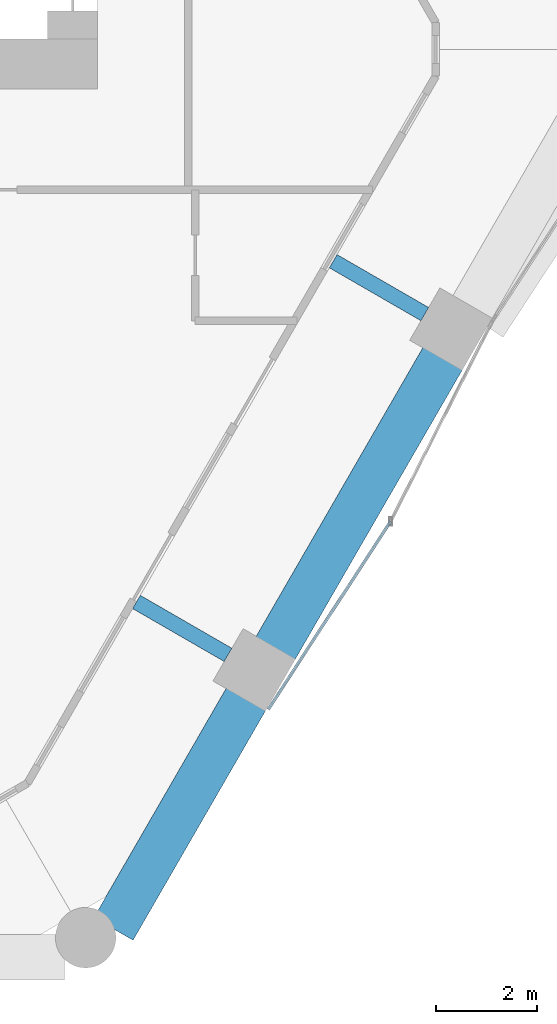
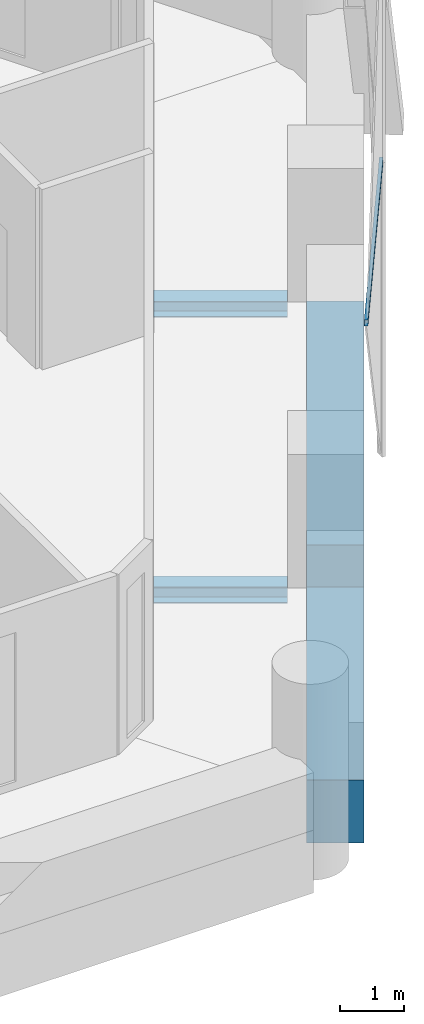
# One storey, part 5 of 17: 4 beams, 1 member, 1 element without a shape of its own.
"""IFC4 building model written with IfcOpenShell, lengths in metres."""

from ifc_helpers import new_model, si_unit, direction, frame, origin, origin_2d, place, context, subcontext, project, spatial, rectangle, hollow_rectangle, i_section, extrude, material, material_profile, profile_set, type_object, element, aggregate, save


model = new_model("IFC4")

# Units and contexts
model_context = context("Model", 3, precision=1e-05, world=origin(), true_north=direction((0.0, 1.0)))
body_context = subcontext(model_context, "Body", "Model", "MODEL_VIEW")
ifc_project = project(units=[si_unit("LENGTHUNIT", "METRE"), si_unit("AREAUNIT", "SQUARE_METRE"), si_unit("VOLUMEUNIT", "CUBIC_METRE"), si_unit("PLANEANGLEUNIT", "RADIAN"), si_unit("MASSUNIT", "GRAM", prefix="KILO")], contexts=[model_context])

# Site, building, storey
site_placement = place(None, origin())
site = spatial("IfcSite", under=ifc_project, at=site_placement, CompositionType="ELEMENT")
building_placement = place(site_placement, origin())
building = spatial("IfcBuilding", under=site, at=building_placement, Name="Ostrander Bayou Hotel Tower", CompositionType="ELEMENT")
storey_placement = place(building_placement, frame((0.0, 0.0, 127.25)))
storey = spatial("IfcBuildingStorey", under=building, at=storey_placement, Name="L31", CompositionType="ELEMENT", Elevation=127.25)

# Curtain wall, member
ifc_material_1 = material(Name="Aluminium and clear glass", Category="aluminium")
curtain_wall_type = type_object("IfcCurtainWallType", Name="CW-LAT lattice glazing", PredefinedType="NOTDEFINED", material=ifc_material_1)
curtain_wall_placement = place(storey_placement, origin())
curtain_wall = element("IfcCurtainWall", 1, at=curtain_wall_placement, inside=storey, type_object=curtain_wall_type, Name="CW-LAT L31 SE 2", PredefinedType="NOTDEFINED")
ifc_material_2 = material(Name="Aluminium", Category="aluminium")
ifc_material_profile_1 = material_profile(ifc_material_2, hollow_rectangle(XDim=0.06005859375, YDim=0.1201171875, WallThickness=0.00390625, at=origin_2d()))
ifc_profile_set_1 = profile_set([ifc_material_profile_1], Name="Aluminium")
member_type = type_object("IfcMemberType", Name="CW-LA transom 60 x 120 mm", PredefinedType="USERDEFINED", material=ifc_profile_set_1)
member_placement = place(storey_placement, frame((17.814208984375, -10.284912109375, 5.02490234375), z_axis=(-0.545325633077, -0.838224286161, 0.0), x_axis=(0.838224286161, -0.545325633077, 0.0)))
member = element("IfcMember", 2, at=member_placement, type_object=member_type, Name="CW-LAT transom 3", ObjectType="TRANSOM", PredefinedType="USERDEFINED", context=body_context, shape_type="SweptSolid", body=[
    extrude(hollow_rectangle(XDim=0.06005859375, YDim=0.1201171875, WallThickness=0.00390625, at=origin_2d()), origin(), (0.0, 0.0, 1.0), 4.451904296875),
])
aggregate(curtain_wall, [member])

# Beams
ifc_material_3 = material(Name="Steel ASTM A992", Category="steel")
ifc_material_profile_2 = material_profile(ifc_material_3, i_section(OverallWidth=0.3046875, OverallDepth=0.307861328125, WebThickness=0.010009765625, FlangeThickness=0.015380859375, at=origin_2d()))
ifc_profile_set_2 = profile_set([ifc_material_profile_2], Name="Steel ASTM A992")
beam_type_1 = type_object("IfcBeamType", Name="LB1 loggia bracket W12x65", PredefinedType="BEAM", material=ifc_profile_set_2)
for number, where, z_axis, x_axis, name in (
    (3, (14.587646484375, -12.933349609375, -0.453857421875), (-0.866009402589, 0.500027713859, 0.0), (-0.500027713859, -0.866009402589, 0.0), "LB1 L31 SE1"),
    (4, (18.494384765625, -6.166748046875, -0.453857421875), (-0.866009402589, 0.500027713859, 0.0), (-0.500027713859, -0.866009402589, 0.0), "LB1 L31 SE2"),
):
    element("IfcBeam", number, at=place(storey_placement, frame(where, z_axis=z_axis, x_axis=x_axis)), inside=storey, type_object=beam_type_1, Name=name, PredefinedType="BEAM", context=body_context, shape_type="SweptSolid", body=[
        extrude(i_section(OverallWidth=0.3046875, OverallDepth=0.307861328125, WebThickness=0.010009765625, FlangeThickness=0.015380859375, at=origin_2d()), origin(), (0.0, 0.0, 1.0), 2.10009765625),
    ])
ifc_material_4 = material(Name="Concrete f'c 70 MPa", Category="concrete")
ifc_material_profile_3 = material_profile(ifc_material_4, rectangle(XDim=0.89990234375, YDim=1.199951171875, at=origin_2d()))
ifc_profile_set_3 = profile_set([ifc_material_profile_3], Name="Concrete f'c 70 MPa")
beam_type_2 = type_object("IfcBeamType", Name="SP2 spandrel beam 900 x 1200 mm f'c 70 MPa", PredefinedType="SPANDREL", material=ifc_profile_set_3)
beam_1_placement = place(storey_placement, frame((12.311767578125, -18.37548828125, -0.60009765625), z_axis=(0.499982573574, 0.866035464703, 0.0), x_axis=(-0.866035464703, 0.499982573574, 0.0)))
element("IfcBeam", 5, at=beam_1_placement, inside=storey, type_object=beam_type_2, Name="SP2 L31 SE-1", PredefinedType="SPANDREL", context=body_context, shape_type="SweptSolid", body=[
    extrude(rectangle(XDim=0.89990234375, YDim=1.199951171875, at=origin_2d()), origin(), (0.0, 0.0, 1.0), 5.281005859375),
])
beam_2_placement = place(storey_placement, frame((15.522216796875, -12.814697265625, -0.60009765625), z_axis=(0.499999023957, 0.866025967302, 0.0), x_axis=(-0.866025967302, 0.499999023957, 0.0)))
element("IfcBeam", 6, at=beam_2_placement, inside=storey, type_object=beam_type_2, Name="SP2 L31 SE-2", PredefinedType="SPANDREL", context=body_context, shape_type="SweptSolid", body=[
    extrude(rectangle(XDim=0.89990234375, YDim=1.199951171875, at=origin_2d()), origin(), (0.0, 0.0, 1.0), 6.67333984375),
])

save(model, "model.ifc")
